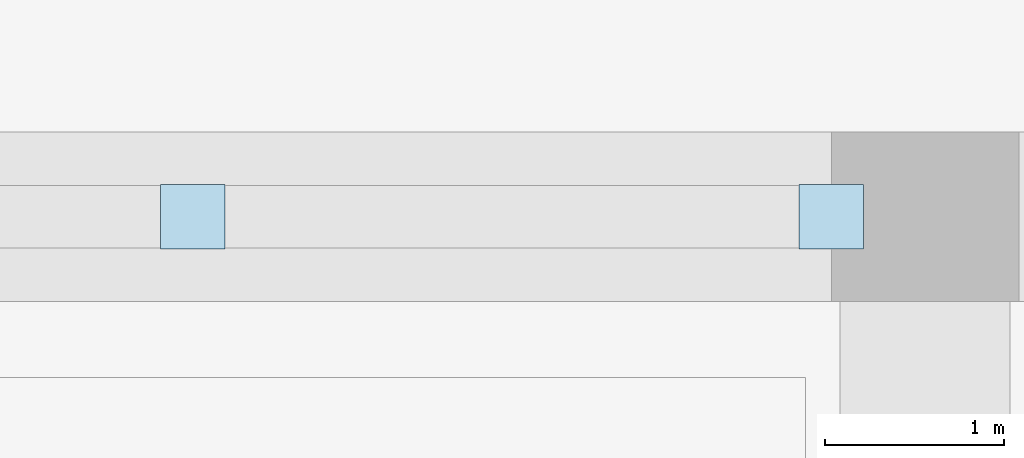
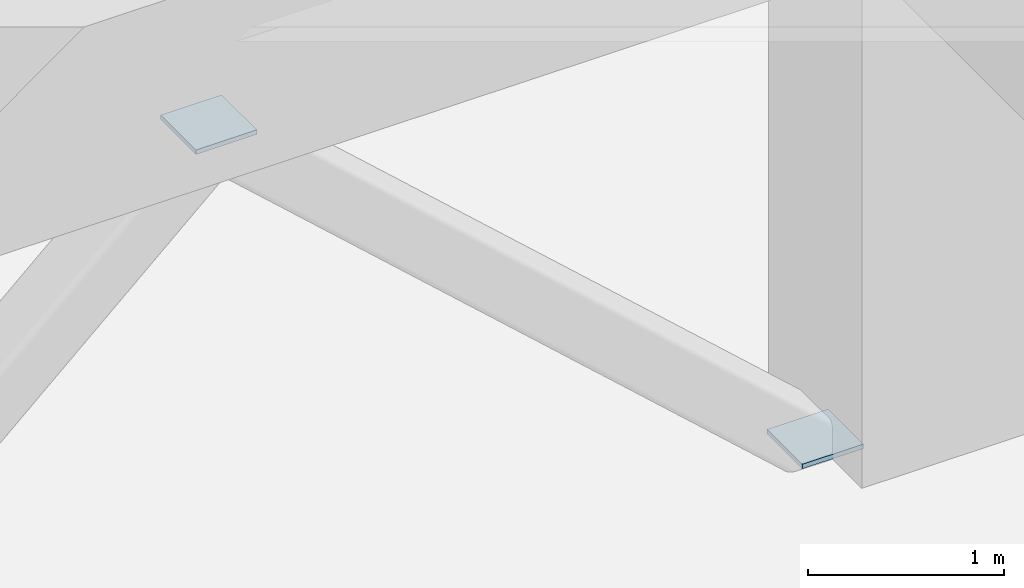
# One storey, part 7 of 21: 2 plates.
"""IFC4 building model written with IfcOpenShell, lengths in metres."""

from ifc_helpers import new_model, si_unit, direction, frame, origin, origin_2d, place, context, subcontext, project, spatial, rectangle, extrude, material, layer, layer_set, type_object, element, save


model = new_model("IFC4")

# Units and contexts
model_context = context("Model", 3, precision=1e-05, world=origin(), true_north=direction((0.0, 1.0)))
body_context = subcontext(model_context, "Body", "Model", "MODEL_VIEW")
ifc_project = project(units=[si_unit("LENGTHUNIT", "METRE"), si_unit("AREAUNIT", "SQUARE_METRE"), si_unit("VOLUMEUNIT", "CUBIC_METRE"), si_unit("PLANEANGLEUNIT", "RADIAN"), si_unit("MASSUNIT", "GRAM", prefix="KILO")], contexts=[model_context])

# Site, building, storey
site_placement = place(None, origin())
site = spatial("IfcSite", under=ifc_project, at=site_placement, CompositionType="ELEMENT")
building_placement = place(site_placement, origin())
building = spatial("IfcBuilding", under=site, at=building_placement, Name="Korimba Cascade Residences", CompositionType="ELEMENT")
storey_placement = place(building_placement, frame((0.0, 0.0, 76.0)))
storey = spatial("IfcBuildingStorey", under=building, at=storey_placement, Name="L21", CompositionType="ELEMENT", Elevation=76.0)

# Plates
ifc_material = material(Name="Steel S460", Category="steel")
ifc_layer = layer(ifc_material, 0.028076171875)
ifc_layer_set = layer_set([ifc_layer], Name="Steel S460")
plate_type = type_object("IfcPlateType", Name="PLT-ENDCAP-28", PredefinedType="USERDEFINED", material=ifc_layer_set)
for number, where, z_axis, x_axis, name in (
    (1, (116.199951171875, 91.199951171875, 3.2158203125), (0.0, 0.0, 1.0), (1.0, 0.0, 0.0), "L21 Brace Welded End Connection Plate 48"),
    (2, (119.77490234375, 91.199951171875, 0.005859375), (0.0, 0.0, 1.0), (1.0, 0.0, 0.0), "L21 Brace Welded End Connection Plate 49"),
):
    element("IfcPlate", number, at=place(storey_placement, frame(where, z_axis=z_axis, x_axis=x_axis)), inside=storey, type_object=plate_type, Name=name, ObjectType="CAP PLATE", PredefinedType="USERDEFINED", context=body_context, shape_type="SweptSolid", body=[
        extrude(rectangle(XDim=0.360107421875, YDim=0.360107421875, at=origin_2d()), origin(), (0.0, 0.0, 1.0), 0.028076171875),
    ])

save(model, "model.ifc")
